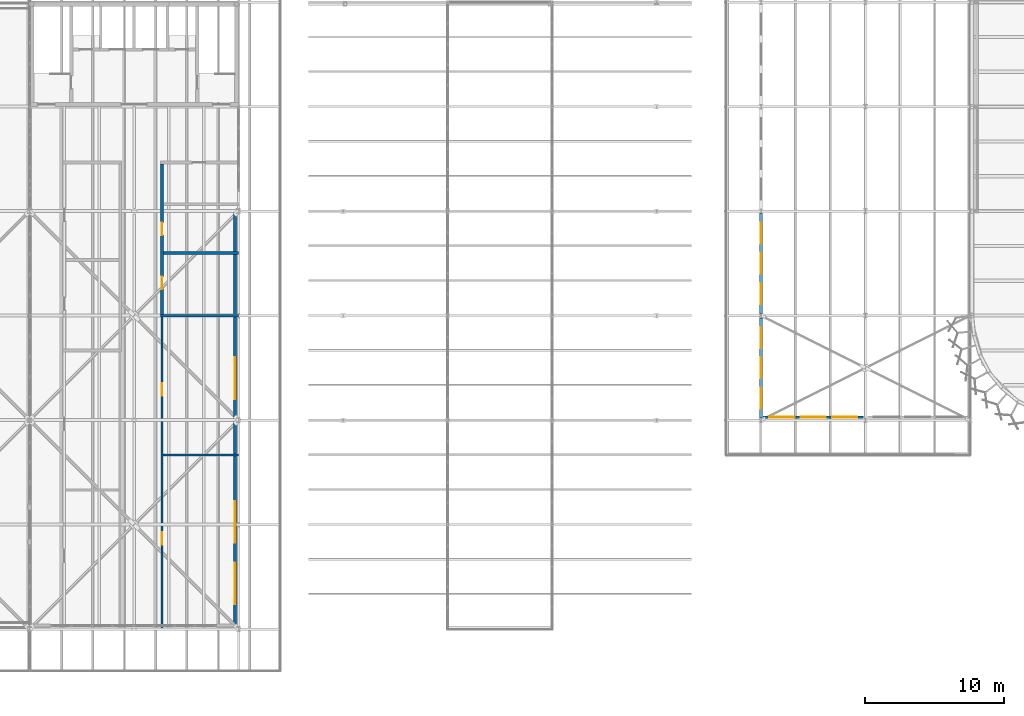
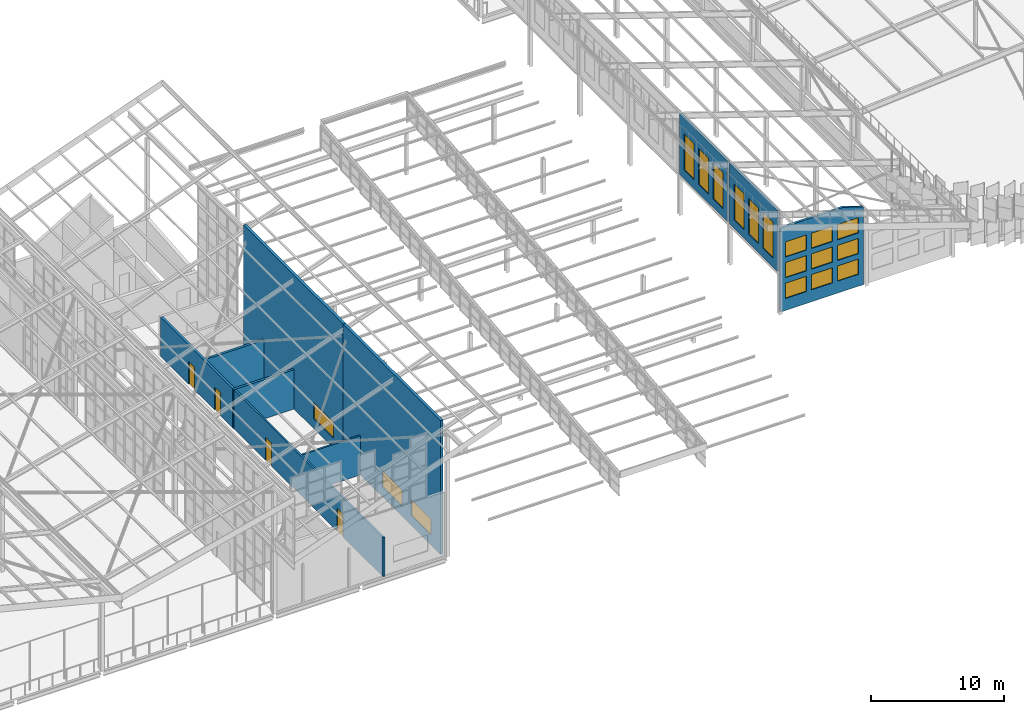
# One storey, part 120 of 483: 18 windows, 10 walls, 4 doors, 22 openings.
"""IFC4 building model written with IfcOpenShell, lengths in metres."""

from ifc_helpers import new_model, si_unit, direction, frame, frame_2d, origin, place, context, subcontext, project, spatial, polyline, rectangle, outline, extrude, material, layer, layer_set, type_object, element, fill, save


model = new_model("IFC4")

# Units and contexts
model_context = context("Model", 3, precision=1e-05, world=origin(), true_north=direction((0.0, 1.0)))
body_context = subcontext(model_context, "Body", "Model", "MODEL_VIEW")
ifc_project = project(units=[si_unit("LENGTHUNIT", "METRE"), si_unit("AREAUNIT", "SQUARE_METRE"), si_unit("VOLUMEUNIT", "CUBIC_METRE"), si_unit("PLANEANGLEUNIT", "RADIAN"), si_unit("MASSUNIT", "GRAM", prefix="KILO")], contexts=[model_context])

# Site, building, storey
site_placement = place(None, origin())
site = spatial("IfcSite", under=ifc_project, at=site_placement, CompositionType="ELEMENT")
building_placement = place(site_placement, origin())
building = spatial("IfcBuilding", under=site, at=building_placement, Name="Parallax Yard Mobility Hub", CompositionType="ELEMENT")
storey_placement = place(building_placement, frame((0.0, 0.0, 13.199951171875)))
storey = spatial("IfcBuildingStorey", under=building, at=storey_placement, Name="L04", CompositionType="ELEMENT", Elevation=13.199951171875)

# Walls
ifc_material_1 = material(Name="Fire-rated plasterboard partition, two layers each side")
ifc_layer_1 = layer(ifc_material_1, 0.199951171875)
ifc_layer_set_1 = layer_set([ifc_layer_1], Name="Fire-rated partition 200 mm")
wall_type_1 = type_object("IfcWallType", Name="Fire-rated partition 200 mm", PredefinedType="PARTITIONING", material=ifc_layer_set_1)
wall_1_placement = place(storey_placement, frame((136.89990234375, 30.0, 0.0), z_axis=(0.0, 0.0, 1.0), x_axis=(1.0, 0.0, 0.0)))
element("IfcWall", 1, at=wall_1_placement, inside=storey, type_object=wall_type_1, Name="Partition 4 level L04", PredefinedType="PARTITIONING", context=body_context, shape_type="SweptSolid", body=[
    extrude(rectangle(XDim=5.60009765625, YDim=0.199951171875, at=frame_2d((2.800048828125, 0.0))), origin(), (0.0, 0.0, 1.0), 3.60009765625),
])
wall_2_placement = place(storey_placement, frame((137.10009765625, 34.5, 0.0), z_axis=(0.0, 0.0, 1.0), x_axis=(1.0, 0.0, 0.0)))
element("IfcWall", 2, at=wall_2_placement, inside=storey, type_object=wall_type_1, Name="Partition 6 level L04", PredefinedType="PARTITIONING", context=body_context, shape_type="SweptSolid", body=[
    extrude(rectangle(XDim=5.39990234375, YDim=0.199951171875, at=frame_2d((2.699951171875, 0.0))), origin(), (0.0, 0.0, 1.0), 3.60009765625),
])

# Wall, openings, doors
wall_3_placement = place(storey_placement, frame((137.0, 30.10009765625, 0.0), z_axis=(0.0, 0.0, 1.0), x_axis=(0.0, 1.0, 0.0)))
wall_3 = element("IfcWall", 3, at=wall_3_placement, inside=storey, type_object=wall_type_1, Name="Partition 15 level L04", PredefinedType="PARTITIONING", context=body_context, shape_type="SweptSolid", body=[
    extrude(rectangle(XDim=10.7998046875, YDim=0.199951171875, at=frame_2d((5.39990234375, 0.0))), origin(), (0.0, 0.0, 1.0), 3.60009765625),
])
opening_1_placement = place(wall_3_placement, frame((1.800048828125, 0.0, 0.0)))
opening_1 = element("IfcOpeningElement", 4, at=opening_1_placement, cuts=wall_3, Name="Opening L04-D205", PredefinedType="OPENING", context=body_context, shape_type="SweptSolid", body=[
    extrude(rectangle(XDim=0.89990234375, YDim=2.10009765625, at=frame_2d((0.449951171875, 1.050048828125))), frame((0.0, 0.10986328125, 0.0), z_axis=(0.0, -1.0, 0.0), x_axis=(1.0, 0.0, 0.0)), (0.0, 0.0, 1.0), 0.219970703125),
])
opening_2_placement = place(wall_3_placement, frame((5.67529296875, 0.0, 0.0)))
opening_2 = element("IfcOpeningElement", 5, at=opening_2_placement, cuts=wall_3, Name="Opening L04-D206", PredefinedType="OPENING", context=body_context, shape_type="SweptSolid", body=[
    extrude(rectangle(XDim=0.89990234375, YDim=2.10009765625, at=frame_2d((0.449951171875, 1.050048828125))), frame((0.0, 0.10986328125, 0.0), z_axis=(0.0, -1.0, 0.0), x_axis=(1.0, 0.0, 0.0)), (0.0, 0.0, 1.0), 0.219970703125),
])
ifc_material_2 = material(Name="Hollow metal fire door leaf with intumescent seals")
door_type_1 = type_object("IfcDoorType", Name="Fire door 900 mm FD60", OperationType="NOTDEFINED", PredefinedType="DOOR", material=ifc_material_2)
door_1_placement = place(opening_1_placement, origin())
door_1 = element("IfcDoor", 6, at=door_1_placement, inside=storey, type_object=door_type_1, Name="Door L04-D205 Men's WC", OperationType="SINGLE_SWING_LEFT", OverallHeight=2.10009765625, OverallWidth=0.89990234375, PredefinedType="DOOR", context=body_context, shape_type="SweptSolid", body=[
    extrude(rectangle(XDim=0.89990234375, YDim=2.10009765625, at=frame_2d((0.449951171875, 1.050048828125))), frame((0.0, 0.02490234375, 0.0), z_axis=(0.0, -1.0, 0.0), x_axis=(1.0, 0.0, 0.0)), (0.0, 0.0, 1.0), 0.050048828125),
])
fill(opening_1, door_1)
door_2_placement = place(opening_2_placement, origin())
door_2 = element("IfcDoor", 7, at=door_2_placement, inside=storey, type_object=door_type_1, Name="Door L04-D206 Women's WC", OperationType="SINGLE_SWING_RIGHT", OverallHeight=2.10009765625, OverallWidth=0.89990234375, PredefinedType="DOOR", context=body_context, shape_type="SweptSolid", body=[
    extrude(rectangle(XDim=0.89990234375, YDim=2.10009765625, at=frame_2d((0.449951171875, 1.050048828125))), frame((0.0, 0.02490234375, 0.0), z_axis=(0.0, -1.0, 0.0), x_axis=(1.0, 0.0, 0.0)), (0.0, 0.0, 1.0), 0.050048828125),
])
fill(opening_2, door_2)

# Wall, openings, windows
ifc_material_3 = material(Name="Concrete fc' 35 MPa", Category="concrete")
ifc_layer_2 = layer(ifc_material_3, 0.199951171875)
ifc_layer_set_2 = layer_set([ifc_layer_2], Name="Louvre screen wall, Concrete fc' 35 MPa precast, 200")
wall_type_2 = type_object("IfcWallType", Name="Louvre screen wall, Concrete fc' 35 MPa precast, 200", PredefinedType="SOLIDWALL", material=ifc_layer_set_2)
wall_4_placement = place(storey_placement, frame((180.0, 22.653564453125, 3.800048828125), z_axis=(0.0, 0.0, 1.0), x_axis=(0.0, 1.0, 0.0)))
wall_4 = element("IfcWall", 8, at=wall_4_placement, inside=storey, type_object=wall_type_2, Name="Ramp house west clerestory louvre band bay 1 level L04", PredefinedType="SOLIDWALL", context=body_context, shape_type="SweptSolid", body=[
    extrude(rectangle(XDim=7.19287109375, YDim=0.199951171875, at=frame_2d((3.596435546875, 0.0))), origin(), (0.0, 0.0, 1.0), 5.57421875),
])
opening_3_placement = place(wall_4_placement, frame((0.673095703125, 0.0, 0.800048828125)))
opening_3 = element("IfcOpeningElement", 9, at=opening_3_placement, cuts=wall_4, Name="Opening LV1", PredefinedType="OPENING", context=body_context, shape_type="SweptSolid", body=[
    extrude(rectangle(XDim=1.5, YDim=3.300048828125, at=frame_2d((0.75, 1.64990234375))), frame((0.0, 0.10986328125, 0.0), z_axis=(0.0, -1.0, 0.0), x_axis=(1.0, 0.0, 0.0)), (0.0, 0.0, 1.0), 0.219970703125),
])
opening_4_placement = place(wall_4_placement, frame((2.846435546875, 0.0, 0.800048828125)))
opening_4 = element("IfcOpeningElement", 10, at=opening_4_placement, cuts=wall_4, Name="Opening LV1", PredefinedType="OPENING", context=body_context, shape_type="SweptSolid", body=[
    extrude(rectangle(XDim=1.5, YDim=3.300048828125, at=frame_2d((0.75, 1.64990234375))), frame((0.0, 0.10986328125, 0.0), z_axis=(0.0, -1.0, 0.0), x_axis=(1.0, 0.0, 0.0)), (0.0, 0.0, 1.0), 0.219970703125),
])
opening_5_placement = place(wall_4_placement, frame((5.019775390625, 0.0, 0.800048828125)))
opening_5 = element("IfcOpeningElement", 11, at=opening_5_placement, cuts=wall_4, Name="Opening LV1", PredefinedType="OPENING", context=body_context, shape_type="SweptSolid", body=[
    extrude(rectangle(XDim=1.5, YDim=3.300048828125, at=frame_2d((0.75, 1.64990234375))), frame((0.0, 0.10986328125, 0.0), z_axis=(0.0, -1.0, 0.0), x_axis=(1.0, 0.0, 0.0)), (0.0, 0.0, 1.0), 0.219970703125),
])
ifc_material_4 = material(Name="Extruded aluminium storm louvre blades in a powder-coated frame", Category="aluminium")
window_type_1 = type_object("IfcWindowType", Name="Storm louvre 1500 x 3300", PartitioningType="SINGLE_PANEL", PredefinedType="WINDOW", material=ifc_material_4)
window_1_placement = place(opening_3_placement, origin())
window_1 = element("IfcWindow", 12, at=window_1_placement, inside=storey, type_object=window_type_1, Name="LV1 louvre level L04", OverallHeight=3.300048828125, OverallWidth=1.5, PartitioningType="SINGLE_PANEL", PredefinedType="WINDOW", context=body_context, shape_type="SweptSolid", body=[
    extrude(rectangle(XDim=1.5, YDim=3.300048828125, at=frame_2d((0.75, 1.64990234375))), frame((0.0, 0.030029296875, 0.0), z_axis=(0.0, -1.0, 0.0), x_axis=(1.0, 0.0, 0.0)), (0.0, 0.0, 1.0), 0.06005859375),
])
fill(opening_3, window_1)
window_2_placement = place(opening_4_placement, origin())
window_2 = element("IfcWindow", 13, at=window_2_placement, inside=storey, type_object=window_type_1, Name="LV1 louvre level L04", OverallHeight=3.300048828125, OverallWidth=1.5, PartitioningType="SINGLE_PANEL", PredefinedType="WINDOW", context=body_context, shape_type="SweptSolid", body=[
    extrude(rectangle(XDim=1.5, YDim=3.300048828125, at=frame_2d((0.75, 1.64990234375))), frame((0.0, 0.030029296875, 0.0), z_axis=(0.0, -1.0, 0.0), x_axis=(1.0, 0.0, 0.0)), (0.0, 0.0, 1.0), 0.06005859375),
])
fill(opening_4, window_2)
window_3_placement = place(opening_5_placement, origin())
window_3 = element("IfcWindow", 14, at=window_3_placement, inside=storey, type_object=window_type_1, Name="LV1 louvre level L04", OverallHeight=3.300048828125, OverallWidth=1.5, PartitioningType="SINGLE_PANEL", PredefinedType="WINDOW", context=body_context, shape_type="SweptSolid", body=[
    extrude(rectangle(XDim=1.5, YDim=3.300048828125, at=frame_2d((0.75, 1.64990234375))), frame((0.0, 0.030029296875, 0.0), z_axis=(0.0, -1.0, 0.0), x_axis=(1.0, 0.0, 0.0)), (0.0, 0.0, 1.0), 0.06005859375),
])
fill(opening_5, window_3)

wall_5_placement = place(storey_placement, frame((180.0, 30.153564453125, 3.800048828125), z_axis=(0.0, 0.0, 1.0), x_axis=(0.0, 1.0, 0.0)))
wall_5 = element("IfcWall", 15, at=wall_5_placement, inside=storey, type_object=wall_type_2, Name="Ramp house west clerestory louvre band bay 2 level L04", PredefinedType="SOLIDWALL", context=body_context, shape_type="SweptSolid", body=[
    extrude(rectangle(XDim=7.19287109375, YDim=0.199951171875, at=frame_2d((3.596435546875, 0.0))), origin(), (0.0, 0.0, 1.0), 5.57421875),
])
opening_6_placement = place(wall_5_placement, frame((0.673095703125, 0.0, 0.800048828125)))
opening_6 = element("IfcOpeningElement", 16, at=opening_6_placement, cuts=wall_5, Name="Opening LV1", PredefinedType="OPENING", context=body_context, shape_type="SweptSolid", body=[
    extrude(rectangle(XDim=1.5, YDim=3.300048828125, at=frame_2d((0.75, 1.64990234375))), frame((0.0, 0.10986328125, 0.0), z_axis=(0.0, -1.0, 0.0), x_axis=(1.0, 0.0, 0.0)), (0.0, 0.0, 1.0), 0.219970703125),
])
opening_7_placement = place(wall_5_placement, frame((2.846435546875, 0.0, 0.800048828125)))
opening_7 = element("IfcOpeningElement", 17, at=opening_7_placement, cuts=wall_5, Name="Opening LV1", PredefinedType="OPENING", context=body_context, shape_type="SweptSolid", body=[
    extrude(rectangle(XDim=1.5, YDim=3.300048828125, at=frame_2d((0.75, 1.64990234375))), frame((0.0, 0.10986328125, 0.0), z_axis=(0.0, -1.0, 0.0), x_axis=(1.0, 0.0, 0.0)), (0.0, 0.0, 1.0), 0.219970703125),
])
opening_8_placement = place(wall_5_placement, frame((5.019775390625, 0.0, 0.800048828125)))
opening_8 = element("IfcOpeningElement", 18, at=opening_8_placement, cuts=wall_5, Name="Opening LV1", PredefinedType="OPENING", context=body_context, shape_type="SweptSolid", body=[
    extrude(rectangle(XDim=1.5, YDim=3.300048828125, at=frame_2d((0.75, 1.64990234375))), frame((0.0, 0.10986328125, 0.0), z_axis=(0.0, -1.0, 0.0), x_axis=(1.0, 0.0, 0.0)), (0.0, 0.0, 1.0), 0.219970703125),
])
window_4_placement = place(opening_6_placement, origin())
window_4 = element("IfcWindow", 19, at=window_4_placement, inside=storey, type_object=window_type_1, Name="LV1 louvre level L04", OverallHeight=3.300048828125, OverallWidth=1.5, PartitioningType="SINGLE_PANEL", PredefinedType="WINDOW", context=body_context, shape_type="SweptSolid", body=[
    extrude(rectangle(XDim=1.5, YDim=3.300048828125, at=frame_2d((0.75, 1.64990234375))), frame((0.0, 0.030029296875, 0.0), z_axis=(0.0, -1.0, 0.0), x_axis=(1.0, 0.0, 0.0)), (0.0, 0.0, 1.0), 0.06005859375),
])
fill(opening_6, window_4)
window_5_placement = place(opening_7_placement, origin())
window_5 = element("IfcWindow", 20, at=window_5_placement, inside=storey, type_object=window_type_1, Name="LV1 louvre level L04", OverallHeight=3.300048828125, OverallWidth=1.5, PartitioningType="SINGLE_PANEL", PredefinedType="WINDOW", context=body_context, shape_type="SweptSolid", body=[
    extrude(rectangle(XDim=1.5, YDim=3.300048828125, at=frame_2d((0.75, 1.64990234375))), frame((0.0, 0.030029296875, 0.0), z_axis=(0.0, -1.0, 0.0), x_axis=(1.0, 0.0, 0.0)), (0.0, 0.0, 1.0), 0.06005859375),
])
fill(opening_7, window_5)
window_6_placement = place(opening_8_placement, origin())
window_6 = element("IfcWindow", 21, at=window_6_placement, inside=storey, type_object=window_type_1, Name="LV1 louvre level L04", OverallHeight=3.300048828125, OverallWidth=1.5, PartitioningType="SINGLE_PANEL", PredefinedType="WINDOW", context=body_context, shape_type="SweptSolid", body=[
    extrude(rectangle(XDim=1.5, YDim=3.300048828125, at=frame_2d((0.75, 1.64990234375))), frame((0.0, 0.030029296875, 0.0), z_axis=(0.0, -1.0, 0.0), x_axis=(1.0, 0.0, 0.0)), (0.0, 0.0, 1.0), 0.06005859375),
])
fill(opening_8, window_6)

wall_6_placement = place(storey_placement, frame((180.153564453125, 22.712890625, 0.0), z_axis=(0.0, 0.0, 1.0), x_axis=(1.0, 0.0, 0.0)))
wall_6 = element("IfcWall", 22, at=wall_6_placement, inside=storey, type_object=wall_type_2, Name="Ramp house south end wall bay 1 level L04", PredefinedType="SOLIDWALL", context=body_context, shape_type="SweptSolid", body=[
    extrude(outline(polyline([(0.0, 0.0), (7.19287109375, 0.0), (7.193115234375, 7.126953125), (6.945068359375, 7.209716796875), (6.200927734375, 7.457763671875), (5.952880859375, 7.540283203125), (5.456787109375, 7.705810546875), (5.208740234375, 7.70751953125), (0.0, 7.70751953125), (0.0, 0.0)])), frame((0.0, 0.10009765625, 0.0), z_axis=(0.0, -1.0, 0.0), x_axis=(1.0, 0.0, 0.0)), (0.0, 0.0, 1.0), 0.199951171875),
])
opening_9_placement = place(wall_6_placement, frame((0.4482421875, 0.0, 1.10009765625)))
opening_9 = element("IfcOpeningElement", 23, at=opening_9_placement, cuts=wall_6, Name="Opening LV2", PredefinedType="OPENING", context=body_context, shape_type="SweptSolid", body=[
    extrude(rectangle(XDim=1.800048828125, YDim=1.39990234375, at=frame_2d((0.89990234375, 0.699951171875))), frame((0.0, 0.10986328125, 0.0), z_axis=(0.0, -1.0, 0.0), x_axis=(1.0, 0.0, 0.0)), (0.0, 0.0, 1.0), 0.219970703125),
])
opening_10_placement = place(wall_6_placement, frame((2.696533203125, 0.0, 1.10009765625)))
opening_10 = element("IfcOpeningElement", 24, at=opening_10_placement, cuts=wall_6, Name="Opening LV2", PredefinedType="OPENING", context=body_context, shape_type="SweptSolid", body=[
    extrude(rectangle(XDim=1.800048828125, YDim=1.39990234375, at=frame_2d((0.89990234375, 0.699951171875))), frame((0.0, 0.10986328125, 0.0), z_axis=(0.0, -1.0, 0.0), x_axis=(1.0, 0.0, 0.0)), (0.0, 0.0, 1.0), 0.219970703125),
])
opening_11_placement = place(wall_6_placement, frame((4.944580078125, 0.0, 1.10009765625)))
opening_11 = element("IfcOpeningElement", 25, at=opening_11_placement, cuts=wall_6, Name="Opening LV2", PredefinedType="OPENING", context=body_context, shape_type="SweptSolid", body=[
    extrude(rectangle(XDim=1.800048828125, YDim=1.39990234375, at=frame_2d((0.89990234375, 0.699951171875))), frame((0.0, 0.10986328125, 0.0), z_axis=(0.0, -1.0, 0.0), x_axis=(1.0, 0.0, 0.0)), (0.0, 0.0, 1.0), 0.219970703125),
])
opening_12_placement = place(wall_6_placement, frame((0.4482421875, 0.0, 3.0)))
opening_12 = element("IfcOpeningElement", 26, at=opening_12_placement, cuts=wall_6, Name="Opening LV2", PredefinedType="OPENING", context=body_context, shape_type="SweptSolid", body=[
    extrude(rectangle(XDim=1.800048828125, YDim=1.39990234375, at=frame_2d((0.89990234375, 0.699951171875))), frame((0.0, 0.10986328125, 0.0), z_axis=(0.0, -1.0, 0.0), x_axis=(1.0, 0.0, 0.0)), (0.0, 0.0, 1.0), 0.219970703125),
])
opening_13_placement = place(wall_6_placement, frame((2.696533203125, 0.0, 3.0)))
opening_13 = element("IfcOpeningElement", 27, at=opening_13_placement, cuts=wall_6, Name="Opening LV2", PredefinedType="OPENING", context=body_context, shape_type="SweptSolid", body=[
    extrude(rectangle(XDim=1.800048828125, YDim=1.39990234375, at=frame_2d((0.89990234375, 0.699951171875))), frame((0.0, 0.10986328125, 0.0), z_axis=(0.0, -1.0, 0.0), x_axis=(1.0, 0.0, 0.0)), (0.0, 0.0, 1.0), 0.219970703125),
])
opening_14_placement = place(wall_6_placement, frame((4.944580078125, 0.0, 3.0)))
opening_14 = element("IfcOpeningElement", 28, at=opening_14_placement, cuts=wall_6, Name="Opening LV2", PredefinedType="OPENING", context=body_context, shape_type="SweptSolid", body=[
    extrude(rectangle(XDim=1.800048828125, YDim=1.39990234375, at=frame_2d((0.89990234375, 0.699951171875))), frame((0.0, 0.10986328125, 0.0), z_axis=(0.0, -1.0, 0.0), x_axis=(1.0, 0.0, 0.0)), (0.0, 0.0, 1.0), 0.219970703125),
])
opening_15_placement = place(wall_6_placement, frame((0.4482421875, 0.0, 4.89990234375)))
opening_15 = element("IfcOpeningElement", 29, at=opening_15_placement, cuts=wall_6, Name="Opening LV2", PredefinedType="OPENING", context=body_context, shape_type="SweptSolid", body=[
    extrude(rectangle(XDim=1.800048828125, YDim=1.39990234375, at=frame_2d((0.89990234375, 0.699951171875))), frame((0.0, 0.10986328125, 0.0), z_axis=(0.0, -1.0, 0.0), x_axis=(1.0, 0.0, 0.0)), (0.0, 0.0, 1.0), 0.219970703125),
])
opening_16_placement = place(wall_6_placement, frame((2.696533203125, 0.0, 4.89990234375)))
opening_16 = element("IfcOpeningElement", 30, at=opening_16_placement, cuts=wall_6, Name="Opening LV2", PredefinedType="OPENING", context=body_context, shape_type="SweptSolid", body=[
    extrude(rectangle(XDim=1.800048828125, YDim=1.39990234375, at=frame_2d((0.89990234375, 0.699951171875))), frame((0.0, 0.10986328125, 0.0), z_axis=(0.0, -1.0, 0.0), x_axis=(1.0, 0.0, 0.0)), (0.0, 0.0, 1.0), 0.219970703125),
])
opening_17_placement = place(wall_6_placement, frame((4.944580078125, 0.0, 4.89990234375)))
opening_17 = element("IfcOpeningElement", 31, at=opening_17_placement, cuts=wall_6, Name="Opening LV2", PredefinedType="OPENING", context=body_context, shape_type="SweptSolid", body=[
    extrude(rectangle(XDim=1.800048828125, YDim=1.39990234375, at=frame_2d((0.89990234375, 0.699951171875))), frame((0.0, 0.10986328125, 0.0), z_axis=(0.0, -1.0, 0.0), x_axis=(1.0, 0.0, 0.0)), (0.0, 0.0, 1.0), 0.219970703125),
])
window_type_2 = type_object("IfcWindowType", Name="Screen louvre 1800 x 1400", PartitioningType="SINGLE_PANEL", PredefinedType="WINDOW", material=ifc_material_4)
window_7_placement = place(opening_9_placement, origin())
window_7 = element("IfcWindow", 32, at=window_7_placement, inside=storey, type_object=window_type_2, Name="LV2 louvre level L04", OverallHeight=1.39990234375, OverallWidth=1.800048828125, PartitioningType="SINGLE_PANEL", PredefinedType="WINDOW", context=body_context, shape_type="SweptSolid", body=[
    extrude(rectangle(XDim=1.800048828125, YDim=1.39990234375, at=frame_2d((0.89990234375, 0.699951171875))), frame((0.0, 0.030029296875, 0.0), z_axis=(0.0, -1.0, 0.0), x_axis=(1.0, 0.0, 0.0)), (0.0, 0.0, 1.0), 0.06005859375),
])
fill(opening_9, window_7)
window_8_placement = place(opening_10_placement, origin())
window_8 = element("IfcWindow", 33, at=window_8_placement, inside=storey, type_object=window_type_2, Name="LV2 louvre level L04", OverallHeight=1.39990234375, OverallWidth=1.800048828125, PartitioningType="SINGLE_PANEL", PredefinedType="WINDOW", context=body_context, shape_type="SweptSolid", body=[
    extrude(rectangle(XDim=1.800048828125, YDim=1.39990234375, at=frame_2d((0.89990234375, 0.699951171875))), frame((0.0, 0.030029296875, 0.0), z_axis=(0.0, -1.0, 0.0), x_axis=(1.0, 0.0, 0.0)), (0.0, 0.0, 1.0), 0.06005859375),
])
fill(opening_10, window_8)
window_9_placement = place(opening_11_placement, origin())
window_9 = element("IfcWindow", 34, at=window_9_placement, inside=storey, type_object=window_type_2, Name="LV2 louvre level L04", OverallHeight=1.39990234375, OverallWidth=1.800048828125, PartitioningType="SINGLE_PANEL", PredefinedType="WINDOW", context=body_context, shape_type="SweptSolid", body=[
    extrude(rectangle(XDim=1.800048828125, YDim=1.39990234375, at=frame_2d((0.89990234375, 0.699951171875))), frame((0.0, 0.030029296875, 0.0), z_axis=(0.0, -1.0, 0.0), x_axis=(1.0, 0.0, 0.0)), (0.0, 0.0, 1.0), 0.06005859375),
])
fill(opening_11, window_9)
window_10_placement = place(opening_12_placement, origin())
window_10 = element("IfcWindow", 35, at=window_10_placement, inside=storey, type_object=window_type_2, Name="LV2 louvre level L04", OverallHeight=1.39990234375, OverallWidth=1.800048828125, PartitioningType="SINGLE_PANEL", PredefinedType="WINDOW", context=body_context, shape_type="SweptSolid", body=[
    extrude(rectangle(XDim=1.800048828125, YDim=1.39990234375, at=frame_2d((0.89990234375, 0.699951171875))), frame((0.0, 0.030029296875, 0.0), z_axis=(0.0, -1.0, 0.0), x_axis=(1.0, 0.0, 0.0)), (0.0, 0.0, 1.0), 0.06005859375),
])
fill(opening_12, window_10)
window_11_placement = place(opening_13_placement, origin())
window_11 = element("IfcWindow", 36, at=window_11_placement, inside=storey, type_object=window_type_2, Name="LV2 louvre level L04", OverallHeight=1.39990234375, OverallWidth=1.800048828125, PartitioningType="SINGLE_PANEL", PredefinedType="WINDOW", context=body_context, shape_type="SweptSolid", body=[
    extrude(rectangle(XDim=1.800048828125, YDim=1.39990234375, at=frame_2d((0.89990234375, 0.699951171875))), frame((0.0, 0.030029296875, 0.0), z_axis=(0.0, -1.0, 0.0), x_axis=(1.0, 0.0, 0.0)), (0.0, 0.0, 1.0), 0.06005859375),
])
fill(opening_13, window_11)
window_12_placement = place(opening_14_placement, origin())
window_12 = element("IfcWindow", 37, at=window_12_placement, inside=storey, type_object=window_type_2, Name="LV2 louvre level L04", OverallHeight=1.39990234375, OverallWidth=1.800048828125, PartitioningType="SINGLE_PANEL", PredefinedType="WINDOW", context=body_context, shape_type="SweptSolid", body=[
    extrude(rectangle(XDim=1.800048828125, YDim=1.39990234375, at=frame_2d((0.89990234375, 0.699951171875))), frame((0.0, 0.030029296875, 0.0), z_axis=(0.0, -1.0, 0.0), x_axis=(1.0, 0.0, 0.0)), (0.0, 0.0, 1.0), 0.06005859375),
])
fill(opening_14, window_12)
window_13_placement = place(opening_15_placement, origin())
window_13 = element("IfcWindow", 38, at=window_13_placement, inside=storey, type_object=window_type_2, Name="LV2 louvre level L04", OverallHeight=1.39990234375, OverallWidth=1.800048828125, PartitioningType="SINGLE_PANEL", PredefinedType="WINDOW", context=body_context, shape_type="SweptSolid", body=[
    extrude(rectangle(XDim=1.800048828125, YDim=1.39990234375, at=frame_2d((0.89990234375, 0.699951171875))), frame((0.0, 0.030029296875, 0.0), z_axis=(0.0, -1.0, 0.0), x_axis=(1.0, 0.0, 0.0)), (0.0, 0.0, 1.0), 0.06005859375),
])
fill(opening_15, window_13)
window_14_placement = place(opening_16_placement, origin())
window_14 = element("IfcWindow", 39, at=window_14_placement, inside=storey, type_object=window_type_2, Name="LV2 louvre level L04", OverallHeight=1.39990234375, OverallWidth=1.800048828125, PartitioningType="SINGLE_PANEL", PredefinedType="WINDOW", context=body_context, shape_type="SweptSolid", body=[
    extrude(rectangle(XDim=1.800048828125, YDim=1.39990234375, at=frame_2d((0.89990234375, 0.699951171875))), frame((0.0, 0.030029296875, 0.0), z_axis=(0.0, -1.0, 0.0), x_axis=(1.0, 0.0, 0.0)), (0.0, 0.0, 1.0), 0.06005859375),
])
fill(opening_16, window_14)
window_15_placement = place(opening_17_placement, origin())
window_15 = element("IfcWindow", 40, at=window_15_placement, inside=storey, type_object=window_type_2, Name="LV2 louvre level L04", OverallHeight=1.39990234375, OverallWidth=1.800048828125, PartitioningType="SINGLE_PANEL", PredefinedType="WINDOW", context=body_context, shape_type="SweptSolid", body=[
    extrude(rectangle(XDim=1.800048828125, YDim=1.39990234375, at=frame_2d((0.89990234375, 0.699951171875))), frame((0.0, 0.030029296875, 0.0), z_axis=(0.0, -1.0, 0.0), x_axis=(1.0, 0.0, 0.0)), (0.0, 0.0, 1.0), 0.06005859375),
])
fill(opening_17, window_15)

# Wall
ifc_material_5 = material(Name="Plasterboard partition on light framing")
ifc_layer_3 = layer(ifc_material_5, 0.14990234375)
ifc_layer_set_3 = layer_set([ifc_layer_3], Name="Partition 150 mm")
wall_type_3 = type_object("IfcWallType", Name="Partition 150 mm", PredefinedType="PARTITIONING", material=ifc_layer_set_3)
wall_7_placement = place(storey_placement, frame((137.074951171875, 20.0, 0.0), z_axis=(0.0, 0.0, 1.0), x_axis=(1.0, 0.0, 0.0)))
element("IfcWall", 41, at=wall_7_placement, inside=storey, type_object=wall_type_3, Name="Partition 2 level L04", PredefinedType="PARTITIONING", context=body_context, shape_type="SweptSolid", body=[
    extrude(rectangle(XDim=5.425048828125, YDim=0.14990234375, at=frame_2d((2.71240234375, 0.0))), origin(), (0.0, 0.0, 1.0), 3.60009765625),
])

# Wall, openings, doors
wall_8_placement = place(storey_placement, frame((137.0, 7.5, 0.0), z_axis=(0.0, 0.0, 1.0), x_axis=(0.0, 1.0, 0.0)))
wall_8 = element("IfcWall", 42, at=wall_8_placement, inside=storey, type_object=wall_type_3, Name="Partition 14 level L04", PredefinedType="PARTITIONING", context=body_context, shape_type="SweptSolid", body=[
    extrude(rectangle(XDim=22.39990234375, YDim=0.14990234375, at=frame_2d((11.199951171875, 0.0))), origin(), (0.0, 0.0, 1.0), 3.60009765625),
])
opening_18_placement = place(wall_8_placement, frame((6.050048828125, 0.0, 0.0)))
opening_18 = element("IfcOpeningElement", 43, at=opening_18_placement, cuts=wall_8, Name="Opening L04-D201", PredefinedType="OPENING", context=body_context, shape_type="SweptSolid", body=[
    extrude(rectangle(XDim=0.89990234375, YDim=2.10009765625, at=frame_2d((0.449951171875, 1.050048828125))), frame((0.0, 0.0849609375, 0.0), z_axis=(0.0, -1.0, 0.0), x_axis=(1.0, 0.0, 0.0)), (0.0, 0.0, 1.0), 0.169921875),
])
opening_19_placement = place(wall_8_placement, frame((16.7626953125, 0.0, 0.0)))
opening_19 = element("IfcOpeningElement", 44, at=opening_19_placement, cuts=wall_8, Name="Opening L04-D203", PredefinedType="OPENING", context=body_context, shape_type="SweptSolid", body=[
    extrude(rectangle(XDim=0.89990234375, YDim=2.10009765625, at=frame_2d((0.449951171875, 1.050048828125))), frame((0.0, 0.0849609375, 0.0), z_axis=(0.0, -1.0, 0.0), x_axis=(1.0, 0.0, 0.0)), (0.0, 0.0, 1.0), 0.169921875),
])
ifc_material_6 = material(Name="Solid timber door leaf", Category="wood")
door_type_2 = type_object("IfcDoorType", Name="Interior door 900 mm", OperationType="NOTDEFINED", PredefinedType="DOOR", material=ifc_material_6)
door_3_placement = place(opening_18_placement, origin())
door_3 = element("IfcDoor", 45, at=door_3_placement, inside=storey, type_object=door_type_2, Name="Door L04-D201 Cafe", OperationType="SINGLE_SWING_LEFT", OverallHeight=2.10009765625, OverallWidth=0.89990234375, PredefinedType="DOOR", context=body_context, shape_type="SweptSolid", body=[
    extrude(rectangle(XDim=0.89990234375, YDim=2.10009765625, at=frame_2d((0.449951171875, 1.050048828125))), frame((0.0, 0.02490234375, 0.0), z_axis=(0.0, -1.0, 0.0), x_axis=(1.0, 0.0, 0.0)), (0.0, 0.0, 1.0), 0.050048828125),
])
fill(opening_18, door_3)
door_4_placement = place(opening_19_placement, origin())
door_4 = element("IfcDoor", 46, at=door_4_placement, inside=storey, type_object=door_type_2, Name="Door L04-D203 Training Room", OperationType="SINGLE_SWING_RIGHT", OverallHeight=2.10009765625, OverallWidth=0.89990234375, PredefinedType="DOOR", context=body_context, shape_type="SweptSolid", body=[
    extrude(rectangle(XDim=0.89990234375, YDim=2.10009765625, at=frame_2d((0.449951171875, 1.050048828125))), frame((0.0, 0.02490234375, 0.0), z_axis=(0.0, -1.0, 0.0), x_axis=(1.0, 0.0, 0.0)), (0.0, 0.0, 1.0), 0.050048828125),
])
fill(opening_19, door_4)

# Wall, openings, windows
ifc_layer_4 = layer(ifc_material_3, 0.22998046875)
ifc_layer_set_4 = layer_set([ifc_layer_4], Name="Pavilion wall, Concrete fc' 35 MPa precast, 230 with insulation lining")
wall_type_4 = type_object("IfcWallType", Name="Pavilion wall, Concrete fc' 35 MPa precast, 230 with insulation lining", PredefinedType="SOLIDWALL", material=ifc_layer_set_4)
wall_9_placement = place(storey_placement, frame((142.24560546875, 7.86962890625, 0.0), z_axis=(0.0, 0.0, 1.0), x_axis=(0.0, 1.0, 0.0)))
wall_9 = element("IfcWall", 47, at=wall_9_placement, inside=storey, type_object=wall_type_4, Name="Rooftop sports deck east wall bay 1 level L04", PredefinedType="SOLIDWALL", context=body_context, shape_type="SweptSolid", body=[
    extrude(rectangle(XDim=14.63037109375, YDim=0.22998046875, at=frame_2d((7.315185546875, 0.0))), origin(), (0.0, 0.0, 1.0), 12.286376953125),
])
opening_20_placement = place(wall_9_placement, frame((1.40771484375, 0.0, 0.89990234375)))
opening_20 = element("IfcOpeningElement", 48, at=opening_20_placement, cuts=wall_9, Name="Opening W7", PredefinedType="OPENING", context=body_context, shape_type="SweptSolid", body=[
    extrude(rectangle(XDim=3.0, YDim=1.5, at=frame_2d((1.5, 0.75))), frame((0.0, 0.125, 0.0), z_axis=(0.0, -1.0, 0.0), x_axis=(1.0, 0.0, 0.0)), (0.0, 0.0, 1.0), 0.25),
])
opening_21_placement = place(wall_9_placement, frame((5.815185546875, 0.0, 0.89990234375)))
opening_21 = element("IfcOpeningElement", 49, at=opening_21_placement, cuts=wall_9, Name="Opening W7", PredefinedType="OPENING", context=body_context, shape_type="SweptSolid", body=[
    extrude(rectangle(XDim=3.0, YDim=1.5, at=frame_2d((1.5, 0.75))), frame((0.0, 0.125, 0.0), z_axis=(0.0, -1.0, 0.0), x_axis=(1.0, 0.0, 0.0)), (0.0, 0.0, 1.0), 0.25),
])
ifc_material_7 = material(Name="Double glazed low-E unit in thermally broken aluminium frame", Category="aluminium")
window_type_3 = type_object("IfcWindowType", Name="Meeting room window 3000 x 1500", PartitioningType="TRIPLE_PANEL_VERTICAL", PredefinedType="WINDOW", material=ifc_material_7)
window_16_placement = place(opening_20_placement, origin())
window_16 = element("IfcWindow", 50, at=window_16_placement, inside=storey, type_object=window_type_3, Name="Window W7 level L04", OverallHeight=1.5, OverallWidth=3.0, PartitioningType="TRIPLE_PANEL_VERTICAL", PredefinedType="WINDOW", context=body_context, shape_type="SweptSolid", body=[
    extrude(rectangle(XDim=3.0, YDim=1.5, at=frame_2d((1.5, 0.75))), frame((0.0, 0.030029296875, 0.0), z_axis=(0.0, -1.0, 0.0), x_axis=(1.0, 0.0, 0.0)), (0.0, 0.0, 1.0), 0.06005859375),
])
fill(opening_20, window_16)
window_17_placement = place(opening_21_placement, origin())
window_17 = element("IfcWindow", 51, at=window_17_placement, inside=storey, type_object=window_type_3, Name="Window W7 level L04", OverallHeight=1.5, OverallWidth=3.0, PartitioningType="TRIPLE_PANEL_VERTICAL", PredefinedType="WINDOW", context=body_context, shape_type="SweptSolid", body=[
    extrude(rectangle(XDim=3.0, YDim=1.5, at=frame_2d((1.5, 0.75))), frame((0.0, 0.030029296875, 0.0), z_axis=(0.0, -1.0, 0.0), x_axis=(1.0, 0.0, 0.0)), (0.0, 0.0, 1.0), 0.06005859375),
])
fill(opening_21, window_17)

# Wall, opening, window
wall_10_placement = place(storey_placement, frame((142.24560546875, 22.5, 0.0), z_axis=(0.0, 0.0, 1.0), x_axis=(0.0, 1.0, 0.0)))
wall_10 = element("IfcWall", 52, at=wall_10_placement, inside=storey, type_object=wall_type_4, Name="Rooftop sports deck east wall bay 2 level L04", PredefinedType="SOLIDWALL", context=body_context, shape_type="SweptSolid", body=[
    extrude(rectangle(XDim=15.0, YDim=0.22998046875, at=frame_2d((7.5, 0.0))), origin(), (0.0, 0.0, 1.0), 12.286376953125),
])
opening_22_placement = place(wall_10_placement, frame((1.5, 0.0, 0.89990234375)))
opening_22 = element("IfcOpeningElement", 53, at=opening_22_placement, cuts=wall_10, Name="Opening W7", PredefinedType="OPENING", context=body_context, shape_type="SweptSolid", body=[
    extrude(rectangle(XDim=3.0, YDim=1.5, at=frame_2d((1.5, 0.75))), frame((0.0, 0.125, 0.0), z_axis=(0.0, -1.0, 0.0), x_axis=(1.0, 0.0, 0.0)), (0.0, 0.0, 1.0), 0.25),
])
window_18_placement = place(opening_22_placement, origin())
window_18 = element("IfcWindow", 54, at=window_18_placement, inside=storey, type_object=window_type_3, Name="Window W7 level L04", OverallHeight=1.5, OverallWidth=3.0, PartitioningType="TRIPLE_PANEL_VERTICAL", PredefinedType="WINDOW", context=body_context, shape_type="SweptSolid", body=[
    extrude(rectangle(XDim=3.0, YDim=1.5, at=frame_2d((1.5, 0.75))), frame((0.0, 0.030029296875, 0.0), z_axis=(0.0, -1.0, 0.0), x_axis=(1.0, 0.0, 0.0)), (0.0, 0.0, 1.0), 0.06005859375),
])
fill(opening_22, window_18)

save(model, "model.ifc")
